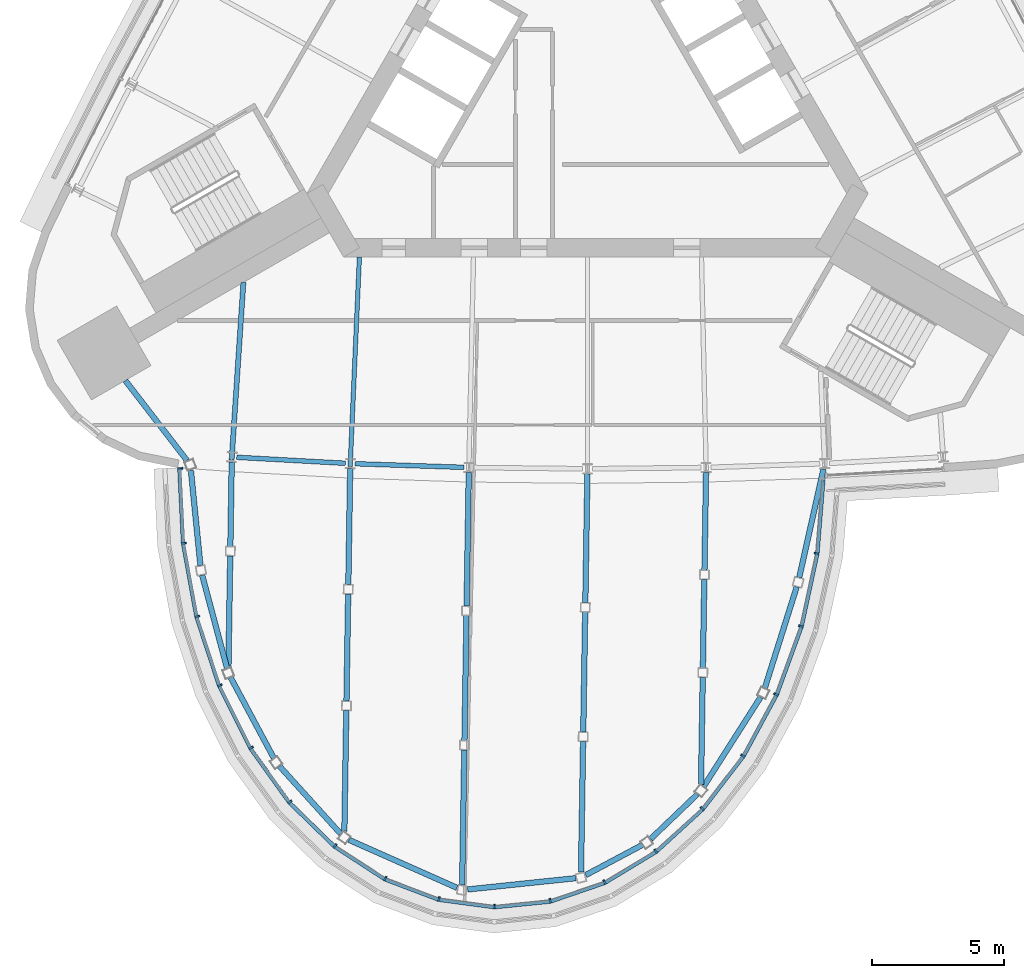
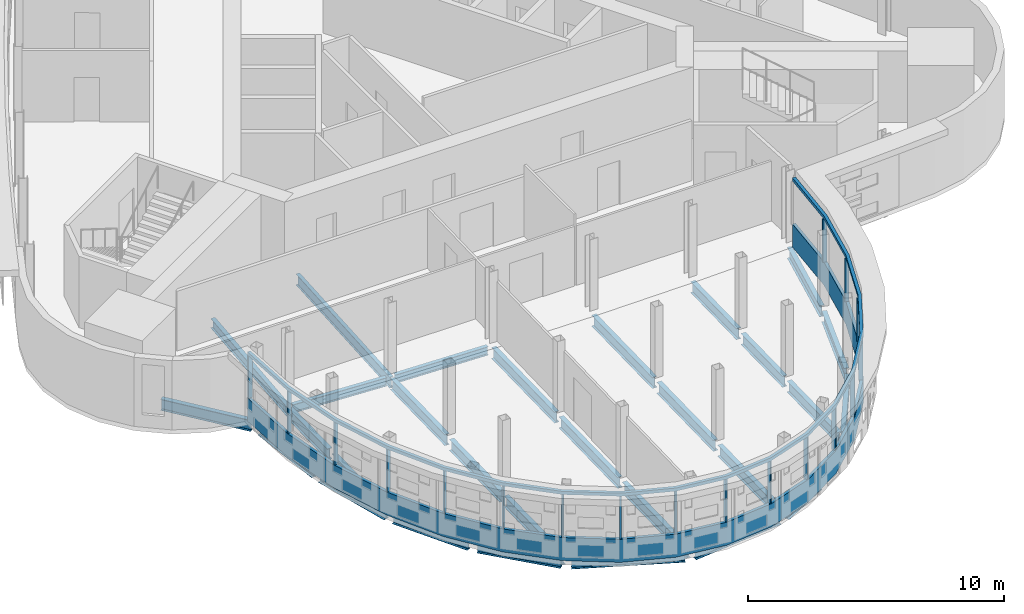
# One storey, part 3 of 14: 30 beams, 20 members, 1 element without a shape of its own.
"""IFC4 building model written with IfcOpenShell, lengths in metres."""

from ifc_helpers import new_model, si_unit, direction, frame, origin, origin_2d, place, context, subcontext, project, spatial, polyline, rectangle, i_section, outline, extrude, material, material_profile, profile_set, type_object, element, aggregate, save


model = new_model("IFC4")

# Units and contexts
model_context = context("Model", 3, precision=1e-05, world=origin(), true_north=direction((0.0, 1.0)))
body_context = subcontext(model_context, "Body", "Model", "MODEL_VIEW")
ifc_project = project(units=[si_unit("LENGTHUNIT", "METRE"), si_unit("AREAUNIT", "SQUARE_METRE"), si_unit("VOLUMEUNIT", "CUBIC_METRE"), si_unit("PLANEANGLEUNIT", "RADIAN"), si_unit("MASSUNIT", "GRAM", prefix="KILO")], contexts=[model_context])

# Site, building, storey
site_placement = place(None, origin())
site = spatial("IfcSite", under=ifc_project, at=site_placement, CompositionType="ELEMENT")
building_placement = place(site_placement, origin())
building = spatial("IfcBuilding", under=site, at=building_placement, Name="Noor Cloister Tower", CompositionType="ELEMENT")
storey_placement = place(building_placement, frame((0.0, 0.0, 218.39990234375)))
storey = spatial("IfcBuildingStorey", under=building, at=storey_placement, Name="L56", CompositionType="ELEMENT", Elevation=218.39990234375)

# Curtain wall, members
ifc_material_1 = material(Name="Aluminium 6063-T6 anodised", Category="aluminium")
curtain_wall_type = type_object("IfcCurtainWallType", Name="Sky bar curtain wall, upper bars CW6", PredefinedType="NOTDEFINED", material=ifc_material_1)
curtain_wall_placement = place(storey_placement, origin())
curtain_wall = element("IfcCurtainWall", 1, at=curtain_wall_placement, inside=storey, type_object=curtain_wall_type, Name="CW6 L56 S sky bar run 2", PredefinedType="NOTDEFINED")
ifc_material_2 = material(Name="Aluminium 6063-T6 anodised", Category="aluminium")
member_type_1 = type_object("IfcMemberType", Name="Head transom CW6 150", PredefinedType="USERDEFINED", material=ifc_material_2)
member_1_placement = place(storey_placement, frame((0.0, 0.0, 3.150146484375)))
member_1 = element("IfcMember", 2, at=member_1_placement, type_object=member_type_1, Name="CW6 head transom", ObjectType="TRANSOM", PredefinedType="USERDEFINED", context=body_context, shape_type="SweptSolid", body=[
    extrude(outline(polyline([(-15.50732421875, -14.898193359375), (-15.366943359375, -17.76611328125), (-14.85888671875, -20.552734375), (-13.998046875, -23.173583984375), (-12.810791015625, -25.548828125), (-11.333251953125, -27.6064453125), (-9.6103515625, -29.2841796875), (-7.6943359375, -30.530517578125), (-5.643310546875, -31.307861328125), (-3.519775390625, -31.5927734375), (-1.38818359375, -31.376220703125), (0.686767578125, -30.6650390625), (2.641845703125, -29.480712890625), (4.417724609375, -27.859130859375), (5.96044921875, -25.85009765625), (7.22314453125, -23.513916015625), (8.167724609375, -20.922119140625), (8.764892578125, -18.153076171875), (8.9970703125, -15.291259765625), (8.857421875, -15.280029296875), (8.626220703125, -18.132568359375), (8.03271484375, -20.883056640625), (7.09521484375, -23.456298828125), (5.842529296875, -25.773681640625), (4.314208984375, -27.76416015625), (2.5576171875, -29.367919921875), (0.626953125, -30.537353515625), (-1.418212890625, -31.238525390625), (-3.517578125, -31.45166015625), (-5.608642578125, -31.17138671875), (-7.630615234375, -30.405029296875), (-9.5224609375, -29.17431640625), (-11.226806640625, -27.514892578125), (-12.690673828125, -25.476318359375), (-13.8681640625, -23.1201171875), (-14.722900390625, -20.51806640625), (-15.227783203125, -17.75), (-15.367431640625, -14.891357421875), (-15.50732421875, -14.898193359375)])), origin(), (0.0, 0.0, 1.0), 0.14990234375),
])
ifc_material_3 = material(Name="Aluminium 6063-T6 anodised", Category="aluminium")
ifc_material_profile_1 = material_profile(ifc_material_3, rectangle(XDim=0.179931640625, YDim=0.070068359375, at=origin_2d()), Name="180 x 70 mullion")
ifc_profile_set_1 = profile_set([ifc_material_profile_1], Name="Aluminium 6063-T6 anodised")
member_type_2 = type_object("IfcMemberType", Name="Mullion CW6 70 x 180", PredefinedType="MULLION", material=ifc_profile_set_1)
member_2_placement = place(storey_placement, frame((-15.40576171875, -14.92822265625, 1.10009765625), z_axis=(0.0, 0.0, 1.0), x_axis=(0.998807460194, 0.048822714606, 0.0)))
member_2 = element("IfcMember", 3, at=member_2_placement, type_object=member_type_2, Name="CW6 mullion 1", PredefinedType="MULLION", context=body_context, shape_type="SweptSolid", body=[
    extrude(rectangle(XDim=0.179931640625, YDim=0.070068359375, at=origin_2d()), origin(), (0.0, 0.0, 1.0), 2.050048828125),
])
member_3_placement = place(storey_placement, frame((-15.267578125, -17.754638671875, 1.10009765625), z_axis=(0.0, 0.0, 1.0), x_axis=(0.993438965549, 0.114363550702, 0.0)))
member_3 = element("IfcMember", 4, at=member_3_placement, type_object=member_type_2, Name="CW6 mullion 2", PredefinedType="MULLION", context=body_context, shape_type="SweptSolid", body=[
    extrude(rectangle(XDim=0.179931640625, YDim=0.070068359375, at=origin_2d()), origin(), (0.0, 0.0, 1.0), 2.050048828125),
])
member_4_placement = place(storey_placement, frame((-14.76171875, -20.528076171875, 1.10009765625), z_axis=(0.0, 0.0, 1.0), x_axis=(0.969193298185, 0.246301341357, 0.0)))
member_4 = element("IfcMember", 5, at=member_4_placement, type_object=member_type_2, Name="CW6 mullion 3", PredefinedType="MULLION", context=body_context, shape_type="SweptSolid", body=[
    extrude(rectangle(XDim=0.179931640625, YDim=0.070068359375, at=origin_2d()), origin(), (0.0, 0.0, 1.0), 2.050048828125),
])
member_5_placement = place(storey_placement, frame((-13.9052734375, -23.13525390625, 1.10009765625), z_axis=(0.0, 0.0, 1.0), x_axis=(0.924752283101, 0.380569592715, 0.0)))
member_5 = element("IfcMember", 6, at=member_5_placement, type_object=member_type_2, Name="CW6 mullion 4", PredefinedType="MULLION", context=body_context, shape_type="SweptSolid", body=[
    extrude(rectangle(XDim=0.179931640625, YDim=0.070068359375, at=origin_2d()), origin(), (0.0, 0.0, 1.0), 2.050048828125),
])
member_6_placement = place(storey_placement, frame((-12.72509765625, -25.4970703125, 1.10009765625), z_axis=(0.0, 0.0, 1.0), x_axis=(0.856103758386, 0.516803981096, 0.0)))
member_6 = element("IfcMember", 7, at=member_6_placement, type_object=member_type_2, Name="CW6 mullion 5", PredefinedType="MULLION", context=body_context, shape_type="SweptSolid", body=[
    extrude(rectangle(XDim=0.179931640625, YDim=0.070068359375, at=origin_2d()), origin(), (0.0, 0.0, 1.0), 2.050048828125),
])
member_7_placement = place(storey_placement, frame((-11.25732421875, -27.541015625, 1.10009765625), z_axis=(0.0, 0.0, 1.0), x_axis=(0.757870889148, 0.652404564194, 0.0)))
member_7 = element("IfcMember", 8, at=member_7_placement, type_object=member_type_2, Name="CW6 mullion 6", PredefinedType="MULLION", context=body_context, shape_type="SweptSolid", body=[
    extrude(rectangle(XDim=0.179931640625, YDim=0.070068359375, at=origin_2d()), origin(), (0.0, 0.0, 1.0), 2.050048828125),
])
member_8_placement = place(storey_placement, frame((-9.547607421875, -29.20556640625, 1.10009765625), z_axis=(0.0, 0.0, 1.0), x_axis=(0.624409562203, 0.781097112163, 0.0)))
member_8 = element("IfcMember", 9, at=member_8_placement, type_object=member_type_2, Name="CW6 mullion 7", PredefinedType="MULLION", context=body_context, shape_type="SweptSolid", body=[
    extrude(rectangle(XDim=0.179931640625, YDim=0.070068359375, at=origin_2d()), origin(), (0.0, 0.0, 1.0), 2.050048828125),
])
member_9_placement = place(storey_placement, frame((-7.648681640625, -30.44091796875, 1.10009765625), z_axis=(0.0, 0.0, 1.0), x_axis=(0.452451441396, 0.891789040737, 0.0)))
member_9 = element("IfcMember", 10, at=member_9_placement, type_object=member_type_2, Name="CW6 mullion 8", PredefinedType="MULLION", context=body_context, shape_type="SweptSolid", body=[
    extrude(rectangle(XDim=0.179931640625, YDim=0.070068359375, at=origin_2d()), origin(), (0.0, 0.0, 1.0), 2.050048828125),
])
member_10_placement = place(storey_placement, frame((-5.61865234375, -31.210205078125, 1.10009765625), z_axis=(0.0, 0.0, 1.0), x_axis=(0.245276878973, 0.969453068818, 0.0)))
member_10 = element("IfcMember", 11, at=member_10_placement, type_object=member_type_2, Name="CW6 mullion 9", PredefinedType="MULLION", context=body_context, shape_type="SweptSolid", body=[
    extrude(rectangle(XDim=0.179931640625, YDim=0.070068359375, at=origin_2d()), origin(), (0.0, 0.0, 1.0), 2.050048828125),
])
member_11_placement = place(storey_placement, frame((-3.51806640625, -31.491943359375, 1.10009765625), z_axis=(0.0, 0.0, 1.0), x_axis=(0.016039463974, 0.999871359524, 0.0)))
member_11 = element("IfcMember", 12, at=member_11_placement, type_object=member_type_2, Name="CW6 mullion 10", PredefinedType="MULLION", context=body_context, shape_type="SweptSolid", body=[
    extrude(rectangle(XDim=0.179931640625, YDim=0.070068359375, at=origin_2d()), origin(), (0.0, 0.0, 1.0), 2.050048828125),
])
member_12_placement = place(storey_placement, frame((-1.40966796875, -31.27783203125, 1.10009765625), z_axis=(0.0, 0.0, 1.0), x_axis=(-0.214055662401, 0.976821464442, 0.0)))
member_12 = element("IfcMember", 13, at=member_12_placement, type_object=member_type_2, Name="CW6 mullion 11", PredefinedType="MULLION", context=body_context, shape_type="SweptSolid", body=[
    extrude(rectangle(XDim=0.179931640625, YDim=0.070068359375, at=origin_2d()), origin(), (0.0, 0.0, 1.0), 2.050048828125),
])
member_13_placement = place(storey_placement, frame((0.64404296875, -30.57373046875, 1.10009765625), z_axis=(0.0, 0.0, 1.0), x_axis=(-0.423614685811, 0.905842479665, 0.0)))
member_13 = element("IfcMember", 14, at=member_13_placement, type_object=member_type_2, Name="CW6 mullion 12", PredefinedType="MULLION", context=body_context, shape_type="SweptSolid", body=[
    extrude(rectangle(XDim=0.179931640625, YDim=0.070068359375, at=origin_2d()), origin(), (0.0, 0.0, 1.0), 2.050048828125),
])
member_14_placement = place(storey_placement, frame((2.58154296875, -29.400146484375, 1.10009765625), z_axis=(0.0, 0.0, 1.0), x_axis=(-0.599034750826, 0.800723027834, 0.0)))
member_14 = element("IfcMember", 15, at=member_14_placement, type_object=member_type_2, Name="CW6 mullion 13", PredefinedType="MULLION", context=body_context, shape_type="SweptSolid", body=[
    extrude(rectangle(XDim=0.179931640625, YDim=0.070068359375, at=origin_2d()), origin(), (0.0, 0.0, 1.0), 2.050048828125),
])
member_15_placement = place(storey_placement, frame((4.34375, -27.791259765625, 1.10009765625), z_axis=(0.0, 0.0, 1.0), x_axis=(-0.736555195978, 0.676377441431, 0.0)))
member_15 = element("IfcMember", 16, at=member_15_placement, type_object=member_type_2, Name="CW6 mullion 14", PredefinedType="MULLION", context=body_context, shape_type="SweptSolid", body=[
    extrude(rectangle(XDim=0.179931640625, YDim=0.070068359375, at=origin_2d()), origin(), (0.0, 0.0, 1.0), 2.050048828125),
])
member_16_placement = place(storey_placement, frame((5.876220703125, -25.79541015625, 1.10009765625), z_axis=(0.0, 0.0, 1.0), x_axis=(-0.839086883334, 0.543997428502, 0.0)))
member_16 = element("IfcMember", 17, at=member_16_placement, type_object=member_type_2, Name="CW6 mullion 15", PredefinedType="MULLION", context=body_context, shape_type="SweptSolid", body=[
    extrude(rectangle(XDim=0.179931640625, YDim=0.070068359375, at=origin_2d()), origin(), (0.0, 0.0, 1.0), 2.050048828125),
])
member_17_placement = place(storey_placement, frame((7.1318359375, -23.472900390625, 1.10009765625), z_axis=(0.0, 0.0, 1.0), x_axis=(-0.912069777343, 0.410035024428, 0.0)))
member_17 = element("IfcMember", 18, at=member_17_placement, type_object=member_type_2, Name="CW6 mullion 16", PredefinedType="MULLION", context=body_context, shape_type="SweptSolid", body=[
    extrude(rectangle(XDim=0.179931640625, YDim=0.070068359375, at=origin_2d()), origin(), (0.0, 0.0, 1.0), 2.050048828125),
])
member_18_placement = place(storey_placement, frame((8.0712890625, -20.894287109375, 1.10009765625), z_axis=(0.0, 0.0, 1.0), x_axis=(-0.960794553727, 0.277261294682, 0.0)))
member_18 = element("IfcMember", 19, at=member_18_placement, type_object=member_type_2, Name="CW6 mullion 17", PredefinedType="MULLION", context=body_context, shape_type="SweptSolid", body=[
    extrude(rectangle(XDim=0.179931640625, YDim=0.070068359375, at=origin_2d()), origin(), (0.0, 0.0, 1.0), 2.050048828125),
])
member_19_placement = place(storey_placement, frame((8.665771484375, -18.138427734375, 1.10009765625), z_axis=(0.0, 0.0, 1.0), x_axis=(-0.989259624416, 0.146169064784, 0.0)))
member_19 = element("IfcMember", 20, at=member_19_placement, type_object=member_type_2, Name="CW6 mullion 18", PredefinedType="MULLION", context=body_context, shape_type="SweptSolid", body=[
    extrude(rectangle(XDim=0.179931640625, YDim=0.070068359375, at=origin_2d()), origin(), (0.0, 0.0, 1.0), 2.050048828125),
])

# Beams
ifc_material_4 = material(Name="Steel ASTM A992 Gr 50", Category="steel")
ifc_material_profile_2 = material_profile(ifc_material_4, i_section(OverallWidth=0.208984375, OverallDepth=0.532958984375, WebThickness=0.01025390625, FlangeThickness=0.015625, FilletRadius=0.0126953125, at=origin_2d()), Name="W530x92")
ifc_profile_set_2 = profile_set([ifc_material_profile_2], Name="Steel ASTM A992 Gr 50")
beam_type_1 = type_object("IfcBeamType", Name="Pod floor beam W530x92", PredefinedType="BEAM", material=ifc_profile_set_2)
beam_1_placement = place(storey_placement, frame((-13.45654296875, -14.68310546875, -0.46630859375), z_axis=(-0.016057886464, -0.999871063829, 0.0), x_axis=(0.999871063829, -0.016057886464, 0.0)))
element("IfcBeam", 21, at=beam_1_placement, inside=storey, type_object=beam_type_1, Name="Pod floor beam 4 L56 line 1 span 1", PredefinedType="BEAM", context=body_context, shape_type="SweptSolid", body=[
    extrude(i_section(OverallWidth=0.208984375, OverallDepth=0.532958984375, WebThickness=0.01025390625, FlangeThickness=0.015625, FilletRadius=0.0126953125, at=origin_2d()), origin(), (0.0, 0.0, 1.0), 3.19287109375),
])
beam_2_placement = place(storey_placement, frame((-13.513671875, -18.231689453125, -0.46630859375), z_axis=(-0.016020235708, -0.999871667789, 0.0), x_axis=(0.999871667789, -0.016020235708, 0.0)))
element("IfcBeam", 22, at=beam_2_placement, inside=storey, type_object=beam_type_1, Name="Pod floor beam 4 L56 line 1 span 2", PredefinedType="BEAM", context=body_context, shape_type="SweptSolid", body=[
    extrude(i_section(OverallWidth=0.208984375, OverallDepth=0.532958984375, WebThickness=0.01025390625, FlangeThickness=0.015625, FilletRadius=0.0126953125, at=origin_2d()), origin(), (0.0, 0.0, 1.0), 4.2060546875),
])
beam_3_placement = place(storey_placement, frame((-8.975830078125, -14.928955078125, -0.46630859375), z_axis=(-0.016022870474, -0.999871625571, 0.0), x_axis=(0.999871625571, -0.016022870474, 0.0)))
element("IfcBeam", 23, at=beam_3_placement, inside=storey, type_object=beam_type_1, Name="Pod floor beam 4 L56 line 2 span 1", PredefinedType="BEAM", context=body_context, shape_type="SweptSolid", body=[
    extrude(i_section(OverallWidth=0.208984375, OverallDepth=0.532958984375, WebThickness=0.01025390625, FlangeThickness=0.015625, FilletRadius=0.0126953125, at=origin_2d()), origin(), (0.0, 0.0, 1.0), 4.38818359375),
])
beam_4_placement = place(storey_placement, frame((-9.0517578125, -19.672607421875, -0.46630859375), z_axis=(-0.01602879691, -0.999871530583, 0.0), x_axis=(0.999871530583, -0.01602879691, 0.0)))
element("IfcBeam", 24, at=beam_4_placement, inside=storey, type_object=beam_type_1, Name="Pod floor beam 4 L56 line 2 span 2", PredefinedType="BEAM", context=body_context, shape_type="SweptSolid", body=[
    extrude(i_section(OverallWidth=0.208984375, OverallDepth=0.532958984375, WebThickness=0.01025390625, FlangeThickness=0.015625, FilletRadius=0.0126953125, at=origin_2d()), origin(), (0.0, 0.0, 1.0), 4.051513671875),
])
beam_5_placement = place(storey_placement, frame((-9.12255859375, -24.07958984375, -0.46630859375), z_axis=(-0.016028719651, -0.999871531821, 0.0), x_axis=(0.999871531821, -0.016028719651, 0.0)))
element("IfcBeam", 25, at=beam_5_placement, inside=storey, type_object=beam_type_1, Name="Pod floor beam 4 L56 line 2 span 3", PredefinedType="BEAM", context=body_context, shape_type="SweptSolid", body=[
    extrude(i_section(OverallWidth=0.208984375, OverallDepth=0.532958984375, WebThickness=0.01025390625, FlangeThickness=0.015625, FilletRadius=0.0126953125, at=origin_2d()), origin(), (0.0, 0.0, 1.0), 4.5693359375),
])
beam_6_placement = place(storey_placement, frame((-4.490478515625, -15.075439453125, -0.46630859375), z_axis=(-0.016018790783, -0.999871690939, 0.0), x_axis=(0.999871690939, -0.016018790783, 0.0)))
element("IfcBeam", 26, at=beam_6_placement, inside=storey, type_object=beam_type_1, Name="Pod floor beam 4 L56 line 3 span 1", PredefinedType="BEAM", context=body_context, shape_type="SweptSolid", body=[
    extrude(i_section(OverallWidth=0.208984375, OverallDepth=0.532958984375, WebThickness=0.01025390625, FlangeThickness=0.015625, FilletRadius=0.0126953125, at=origin_2d()), origin(), (0.0, 0.0, 1.0), 5.06005859375),
])
beam_7_placement = place(storey_placement, frame((-4.577392578125, -20.49072265625, -0.46630859375), z_axis=(-0.016018616282, -0.999871693735, 0.0), x_axis=(0.999871693735, -0.016018616282, 0.0)))
element("IfcBeam", 27, at=beam_7_placement, inside=storey, type_object=beam_type_1, Name="Pod floor beam 4 L56 line 3 span 2", PredefinedType="BEAM", context=body_context, shape_type="SweptSolid", body=[
    extrude(i_section(OverallWidth=0.208984375, OverallDepth=0.532958984375, WebThickness=0.01025390625, FlangeThickness=0.015625, FilletRadius=0.0126953125, at=origin_2d()), origin(), (0.0, 0.0, 1.0), 4.724609375),
])
beam_8_placement = place(storey_placement, frame((-4.65869140625, -25.57080078125, -0.46630859375), z_axis=(-0.016060649323, -0.999871019454, 0.0), x_axis=(0.999871019454, -0.016060649323, 0.0)))
element("IfcBeam", 28, at=beam_8_placement, inside=storey, type_object=beam_type_1, Name="Pod floor beam 4 L56 line 3 span 3", PredefinedType="BEAM", context=body_context, shape_type="SweptSolid", body=[
    extrude(i_section(OverallWidth=0.208984375, OverallDepth=0.532958984375, WebThickness=0.01025390625, FlangeThickness=0.015625, FilletRadius=0.0126953125, at=origin_2d()), origin(), (0.0, 0.0, 1.0), 5.107666015625),
])
beam_9_placement = place(storey_placement, frame((-0.0029296875, -15.126220703125, -0.46630859375), z_axis=(-0.016073644342, -0.999870810634, 0.0), x_axis=(0.999870810634, -0.016073644342, 0.0)))
element("IfcBeam", 29, at=beam_9_placement, inside=storey, type_object=beam_type_1, Name="Pod floor beam 4 L56 line 4 span 1", PredefinedType="BEAM", context=body_context, shape_type="SweptSolid", body=[
    extrude(i_section(OverallWidth=0.208984375, OverallDepth=0.532958984375, WebThickness=0.01025390625, FlangeThickness=0.015625, FilletRadius=0.0126953125, at=origin_2d()), origin(), (0.0, 0.0, 1.0), 4.875732421875),
])
beam_10_placement = place(storey_placement, frame((-0.0869140625, -20.357177734375, -0.46630859375), z_axis=(-0.016026340783, -0.999871569953, 0.0), x_axis=(0.999871569953, -0.016026340783, 0.0)))
element("IfcBeam", 30, at=beam_10_placement, inside=storey, type_object=beam_type_1, Name="Pod floor beam 4 L56 line 4 span 2", PredefinedType="BEAM", context=body_context, shape_type="SweptSolid", body=[
    extrude(i_section(OverallWidth=0.208984375, OverallDepth=0.532958984375, WebThickness=0.01025390625, FlangeThickness=0.015625, FilletRadius=0.0126953125, at=origin_2d()), origin(), (0.0, 0.0, 1.0), 4.53955078125),
])
beam_11_placement = place(storey_placement, frame((-0.16552734375, -25.252197265625, -0.46630859375), z_axis=(-0.016014555828, -0.999871758778, 0.0), x_axis=(0.999871758778, -0.016014555828, 0.0)))
element("IfcBeam", 31, at=beam_11_placement, inside=storey, type_object=beam_type_1, Name="Pod floor beam 4 L56 line 4 span 3", PredefinedType="BEAM", context=body_context, shape_type="SweptSolid", body=[
    extrude(i_section(OverallWidth=0.208984375, OverallDepth=0.532958984375, WebThickness=0.01025390625, FlangeThickness=0.015625, FilletRadius=0.0126953125, at=origin_2d()), origin(), (0.0, 0.0, 1.0), 4.939453125),
])
beam_12_placement = place(storey_placement, frame((4.484375, -15.078857421875, -0.46630859375), z_axis=(-0.016020189604, -0.999871668528, 0.0), x_axis=(0.999871668528, -0.016020189604, 0.0)))
element("IfcBeam", 32, at=beam_12_placement, inside=storey, type_object=beam_type_1, Name="Pod floor beam 4 L56 line 5 span 1", PredefinedType="BEAM", context=body_context, shape_type="SweptSolid", body=[
    extrude(i_section(OverallWidth=0.208984375, OverallDepth=0.532958984375, WebThickness=0.01025390625, FlangeThickness=0.015625, FilletRadius=0.0126953125, at=origin_2d()), origin(), (0.0, 0.0, 1.0), 3.68798828125),
])
beam_13_placement = place(storey_placement, frame((4.419677734375, -19.122314453125, -0.46630859375), z_axis=(-0.016104608923, -0.999870312376, 0.0), x_axis=(0.999870312376, -0.016104608923, 0.0)))
element("IfcBeam", 33, at=beam_13_placement, inside=storey, type_object=beam_type_1, Name="Pod floor beam 4 L56 line 5 span 2", PredefinedType="BEAM", context=body_context, shape_type="SweptSolid", body=[
    extrude(i_section(OverallWidth=0.208984375, OverallDepth=0.532958984375, WebThickness=0.01025390625, FlangeThickness=0.015625, FilletRadius=0.0126953125, at=origin_2d()), origin(), (0.0, 0.0, 1.0), 3.350341796875),
])
beam_14_placement = place(storey_placement, frame((4.360107421875, -22.828125, -0.46630859375), z_axis=(-0.016058791155, -0.999871049299, 0.0), x_axis=(0.999871049299, -0.016058791155, 0.0)))
element("IfcBeam", 34, at=beam_14_placement, inside=storey, type_object=beam_type_1, Name="Pod floor beam 4 L56 line 5 span 3", PredefinedType="BEAM", context=body_context, shape_type="SweptSolid", body=[
    extrude(i_section(OverallWidth=0.208984375, OverallDepth=0.532958984375, WebThickness=0.01025390625, FlangeThickness=0.015625, FilletRadius=0.0126953125, at=origin_2d()), origin(), (0.0, 0.0, 1.0), 4.0439453125),
])
beam_15_placement = place(storey_placement, frame((-17.476318359375, -11.607177734375, -0.46630859375), z_axis=(0.61085747159, -0.791740582137, 0.0), x_axis=(0.791740582137, 0.61085747159, 0.0)))
element("IfcBeam", 35, at=beam_15_placement, inside=storey, type_object=beam_type_1, Name="Pod floor beam 4 L56 ring 1", PredefinedType="BEAM", context=body_context, shape_type="SweptSolid", body=[
    extrude(i_section(OverallWidth=0.208984375, OverallDepth=0.532958984375, WebThickness=0.01025390625, FlangeThickness=0.015625, FilletRadius=0.0126953125, at=origin_2d()), origin(), (0.0, 0.0, 1.0), 3.804931640625),
])
beam_16_placement = place(storey_placement, frame((-14.99951171875, -15.00390625, -0.46630859375), z_axis=(0.09924249297, -0.995063278183, 0.0), x_axis=(0.995063278183, 0.09924249297, 0.0)))
element("IfcBeam", 36, at=beam_16_placement, inside=storey, type_object=beam_type_1, Name="Pod floor beam 4 L56 ring 2", PredefinedType="BEAM", context=body_context, shape_type="SweptSolid", body=[
    extrude(i_section(OverallWidth=0.208984375, OverallDepth=0.532958984375, WebThickness=0.01025390625, FlangeThickness=0.015625, FilletRadius=0.0126953125, at=origin_2d()), origin(), (0.0, 0.0, 1.0), 3.60888671875),
])
beam_17_placement = place(storey_placement, frame((-14.57470703125, -18.961669921875, -0.46630859375), z_axis=(0.25794181174, -0.966160453422, 0.0), x_axis=(0.966160453422, 0.25794181174, 0.0)))
element("IfcBeam", 37, at=beam_17_placement, inside=storey, type_object=beam_type_1, Name="Pod floor beam 4 L56 ring 3", PredefinedType="BEAM", context=body_context, shape_type="SweptSolid", body=[
    extrude(i_section(OverallWidth=0.208984375, OverallDepth=0.532958984375, WebThickness=0.01025390625, FlangeThickness=0.015625, FilletRadius=0.0126953125, at=origin_2d()), origin(), (0.0, 0.0, 1.0), 3.646728515625),
])
beam_18_placement = place(storey_placement, frame((-13.494140625, -22.83837890625, -0.46630859375), z_axis=(0.472231221269, -0.881474715269, 0.0), x_axis=(0.881474715269, 0.472231221269, 0.0)))
element("IfcBeam", 38, at=beam_18_placement, inside=storey, type_object=beam_type_1, Name="Pod floor beam 4 L56 ring 4", PredefinedType="BEAM", context=body_context, shape_type="SweptSolid", body=[
    extrude(i_section(OverallWidth=0.208984375, OverallDepth=0.532958984375, WebThickness=0.01025390625, FlangeThickness=0.015625, FilletRadius=0.0126953125, at=origin_2d()), origin(), (0.0, 0.0, 1.0), 3.45361328125),
])
beam_19_placement = place(storey_placement, frame((-11.643798828125, -26.194091796875, -0.46630859375), z_axis=(0.670972878128, -0.74148189244, 0.0), x_axis=(0.74148189244, 0.670972878128, 0.0)))
element("IfcBeam", 39, at=beam_19_placement, inside=storey, type_object=beam_type_1, Name="Pod floor beam 4 L56 ring 5", PredefinedType="BEAM", context=body_context, shape_type="SweptSolid", body=[
    extrude(i_section(OverallWidth=0.208984375, OverallDepth=0.532958984375, WebThickness=0.01025390625, FlangeThickness=0.015625, FilletRadius=0.0126953125, at=origin_2d()), origin(), (0.0, 0.0, 1.0), 3.434814453125),
])
beam_20_placement = place(storey_placement, frame((-9.0166015625, -28.976318359375, -0.46630859375), z_axis=(0.91395356145, -0.405818786545, 0.0), x_axis=(0.405818786545, 0.91395356145, 0.0)))
element("IfcBeam", 40, at=beam_20_placement, inside=storey, type_object=beam_type_1, Name="Pod floor beam 4 L56 ring 6", PredefinedType="BEAM", context=body_context, shape_type="SweptSolid", body=[
    extrude(i_section(OverallWidth=0.208984375, OverallDepth=0.532958984375, WebThickness=0.01025390625, FlangeThickness=0.015625, FilletRadius=0.0126953125, at=origin_2d()), origin(), (0.0, 0.0, 1.0), 4.46435546875),
])
beam_21_placement = place(storey_placement, frame((-4.53125, -30.851318359375, -0.46630859375), z_axis=(0.994591346785, 0.103865552038, 0.0), x_axis=(-0.103865552038, 0.994591346785, 0.0)))
element("IfcBeam", 41, at=beam_21_placement, inside=storey, type_object=beam_type_1, Name="Pod floor beam 4 L56 ring 7", PredefinedType="BEAM", context=body_context, shape_type="SweptSolid", body=[
    extrude(i_section(OverallWidth=0.208984375, OverallDepth=0.532958984375, WebThickness=0.01025390625, FlangeThickness=0.015625, FilletRadius=0.0126953125, at=origin_2d()), origin(), (0.0, 0.0, 1.0), 4.111083984375),
])
beam_22_placement = place(storey_placement, frame((-0.064208984375, -30.30615234375, -0.46630859375), z_axis=(0.882857278329, 0.469641380312, 0.0), x_axis=(-0.469641380312, 0.882857278329, 0.0)))
element("IfcBeam", 42, at=beam_22_placement, inside=storey, type_object=beam_type_1, Name="Pod floor beam 4 L56 ring 8", PredefinedType="BEAM", context=body_context, shape_type="SweptSolid", body=[
    extrude(i_section(OverallWidth=0.208984375, OverallDepth=0.532958984375, WebThickness=0.01025390625, FlangeThickness=0.015625, FilletRadius=0.0126953125, at=origin_2d()), origin(), (0.0, 0.0, 1.0), 2.423095703125),
])
beam_23_placement = place(storey_placement, frame((2.386474609375, -28.943115234375, -0.46630859375), z_axis=(0.722587546646, 0.691279420663, 0.0), x_axis=(-0.691279420663, 0.722587546646, 0.0)))
element("IfcBeam", 43, at=beam_23_placement, inside=storey, type_object=beam_type_1, Name="Pod floor beam 4 L56 ring 9", PredefinedType="BEAM", context=body_context, shape_type="SweptSolid", body=[
    extrude(i_section(OverallWidth=0.208984375, OverallDepth=0.532958984375, WebThickness=0.01025390625, FlangeThickness=0.015625, FilletRadius=0.0126953125, at=origin_2d()), origin(), (0.0, 0.0, 1.0), 2.440673828125),
])
beam_24_placement = place(storey_placement, frame((4.392578125, -26.961669921875, -0.46630859375), z_axis=(0.537261702506, 0.843415593299, 0.0), x_axis=(-0.843415593299, 0.537261702506, 0.0)))
element("IfcBeam", 44, at=beam_24_placement, inside=storey, type_object=beam_type_1, Name="Pod floor beam 4 L56 ring 10", PredefinedType="BEAM", context=body_context, shape_type="SweptSolid", body=[
    extrude(i_section(OverallWidth=0.208984375, OverallDepth=0.532958984375, WebThickness=0.01025390625, FlangeThickness=0.015625, FilletRadius=0.0126953125, at=origin_2d()), origin(), (0.0, 0.0, 1.0), 4.008056640625),
])
beam_25_placement = place(storey_placement, frame((6.707763671875, -23.23388671875, -0.46630859375), z_axis=(0.300645405409, 0.953735990831, 0.0), x_axis=(-0.953735990831, 0.300645405409, 0.0)))
element("IfcBeam", 45, at=beam_25_placement, inside=storey, type_object=beam_type_1, Name="Pod floor beam 4 L56 ring 11", PredefinedType="BEAM", context=body_context, shape_type="SweptSolid", body=[
    extrude(i_section(OverallWidth=0.208984375, OverallDepth=0.532958984375, WebThickness=0.01025390625, FlangeThickness=0.015625, FilletRadius=0.0126953125, at=origin_2d()), origin(), (0.0, 0.0, 1.0), 4.015625),
])
beam_26_placement = place(storey_placement, frame((8.009765625, -19.051513671875, -0.46630859375), z_axis=(0.218069707422, 0.975933195821, 0.0), x_axis=(-0.975933195821, 0.218069707422, 0.0)))
element("IfcBeam", 46, at=beam_26_placement, inside=storey, type_object=beam_type_1, Name="Pod floor beam 4 L56 ring 12", PredefinedType="BEAM", context=body_context, shape_type="SweptSolid", body=[
    extrude(i_section(OverallWidth=0.208984375, OverallDepth=0.532958984375, WebThickness=0.01025390625, FlangeThickness=0.015625, FilletRadius=0.0126953125, at=origin_2d()), origin(), (0.0, 0.0, 1.0), 4.197265625),
])
ifc_material_5 = material(Name="Steel ASTM A992 Gr 50", Category="steel")
ifc_material_profile_3 = material_profile(ifc_material_5, i_section(OverallWidth=0.19091796875, OverallDepth=0.45703125, WebThickness=0.009033203125, FlangeThickness=0.014404296875, FilletRadius=0.01025390625, at=origin_2d()), Name="W460x74")
ifc_profile_set_3 = profile_set([ifc_material_profile_3], Name="Steel ASTM A992 Gr 50")
beam_type_2 = type_object("IfcBeamType", Name="Radial beam W460x74", PredefinedType="BEAM", material=ifc_profile_set_3)
beam_27_placement = place(storey_placement, frame((-13.461181640625, -14.609375, -0.428466796875), z_axis=(0.066336159121, 0.997797331121, 0.0), x_axis=(-0.997797331121, 0.066336159121, 0.0)))
element("IfcBeam", 47, at=beam_27_placement, inside=storey, type_object=beam_type_2, Name="Radial beam S 01 L56", PredefinedType="BEAM", context=body_context, shape_type="SweptSolid", body=[
    extrude(i_section(OverallWidth=0.19091796875, OverallDepth=0.45703125, WebThickness=0.009033203125, FlangeThickness=0.014404296875, FilletRadius=0.01025390625, at=origin_2d()), origin(), (0.0, 0.0, 1.0), 6.735107421875),
])
ifc_material_6 = material(Name="Steel ASTM A992 Gr 50", Category="steel")
ifc_material_profile_4 = material_profile(ifc_material_6, i_section(OverallWidth=0.166015625, OverallDepth=0.528076171875, WebThickness=0.009765625, FlangeThickness=0.013671875, FilletRadius=0.0126953125, at=origin_2d()), Name="W530x74")
ifc_profile_set_4 = profile_set([ifc_material_profile_4], Name="Steel ASTM A992 Gr 50")
beam_type_3 = type_object("IfcBeamType", Name="Radial beam W530x74", PredefinedType="BEAM", material=ifc_profile_set_4)
beam_28_placement = place(storey_placement, frame((-8.977783203125, -14.857666015625, -0.4638671875), z_axis=(0.044231430946, 0.999021311342, 0.0), x_axis=(-0.999021311342, 0.044231430946, 0.0)))
element("IfcBeam", 48, at=beam_28_placement, inside=storey, type_object=beam_type_3, Name="Radial beam S 02 L56", PredefinedType="BEAM", context=body_context, shape_type="SweptSolid", body=[
    extrude(i_section(OverallWidth=0.166015625, OverallDepth=0.528076171875, WebThickness=0.009765625, FlangeThickness=0.013671875, FilletRadius=0.0126953125, at=origin_2d()), origin(), (0.0, 0.0, 1.0), 7.937255859375),
])

# Member
ifc_material_7 = material(Name="Aluminium 6063-T6 anodised", Category="aluminium")
member_type_3 = type_object("IfcMemberType", Name="Sill transom CW6 1100", PredefinedType="USERDEFINED", material=ifc_material_7)
member_20_placement = place(storey_placement, origin())
member_20 = element("IfcMember", 49, at=member_20_placement, type_object=member_type_3, Name="CW6 sill transom", ObjectType="TRANSOM", PredefinedType="USERDEFINED", context=body_context, shape_type="SweptSolid", body=[
    extrude(outline(polyline([(-15.50732421875, -14.898193359375), (-15.366943359375, -17.76611328125), (-14.85888671875, -20.552734375), (-13.998046875, -23.173583984375), (-12.810791015625, -25.548828125), (-11.333251953125, -27.6064453125), (-9.6103515625, -29.2841796875), (-7.6943359375, -30.530517578125), (-5.643310546875, -31.307861328125), (-3.519775390625, -31.5927734375), (-1.38818359375, -31.376220703125), (0.686767578125, -30.6650390625), (2.641845703125, -29.480712890625), (4.417724609375, -27.859130859375), (5.96044921875, -25.85009765625), (7.22314453125, -23.513916015625), (8.167724609375, -20.922119140625), (8.764892578125, -18.153076171875), (8.9970703125, -15.291259765625), (8.857421875, -15.280029296875), (8.626220703125, -18.132568359375), (8.03271484375, -20.883056640625), (7.09521484375, -23.456298828125), (5.842529296875, -25.773681640625), (4.314208984375, -27.76416015625), (2.5576171875, -29.367919921875), (0.626953125, -30.537353515625), (-1.418212890625, -31.238525390625), (-3.517578125, -31.45166015625), (-5.608642578125, -31.17138671875), (-7.630615234375, -30.405029296875), (-9.5224609375, -29.17431640625), (-11.226806640625, -27.514892578125), (-12.690673828125, -25.476318359375), (-13.8681640625, -23.1201171875), (-14.722900390625, -20.51806640625), (-15.227783203125, -17.75), (-15.367431640625, -14.891357421875), (-15.50732421875, -14.898193359375)])), origin(), (0.0, 0.0, 1.0), 1.10009765625),
])

aggregate(curtain_wall, [member_2, member_3, member_4, member_5, member_6, member_7, member_8, member_9, member_10, member_11, member_12, member_13, member_14, member_15, member_16, member_17, member_18, member_19, member_20, member_1])

# Beams
ifc_material_8 = material(Name="Steel ASTM A992 Gr 50", Category="steel")
ifc_material_profile_5 = material_profile(ifc_material_8, i_section(OverallWidth=0.177978515625, OverallDepth=0.406005859375, WebThickness=0.0078125, FlangeThickness=0.0126953125, FilletRadius=0.01025390625, at=origin_2d()), Name="W410x60")
ifc_profile_set_5 = profile_set([ifc_material_profile_5], Name="Steel ASTM A992 Gr 50")
beam_type_4 = type_object("IfcBeamType", Name="Spandrel beam W410x60", PredefinedType="SPANDREL", material=ifc_profile_set_5)
for number, where, z_axis, x_axis, name in (
    (50, (-13.267333984375, -14.50390625, -0.40283203125), (0.998469831997, -0.055299137356, 0.0), (0.055299137356, 0.998469831997, 0.0), "Spandrel beam S 01 L56"),
    (51, (-8.786376953125, -14.748046875, -0.40283203125), (0.999447866334, -0.033225930849, 0.0), (0.033225930849, 0.999447866334, 0.0), "Spandrel beam S 02 L56"),
):
    element("IfcBeam", number, at=place(storey_placement, frame(where, z_axis=z_axis, x_axis=x_axis)), inside=storey, type_object=beam_type_4, Name=name, PredefinedType="SPANDREL", context=body_context, shape_type="SweptSolid", body=[
        extrude(i_section(OverallWidth=0.177978515625, OverallDepth=0.406005859375, WebThickness=0.0078125, FlangeThickness=0.0126953125, FilletRadius=0.01025390625, at=origin_2d()), origin(), (0.0, 0.0, 1.0), 4.11474609375),
    ])

save(model, "model.ifc")
